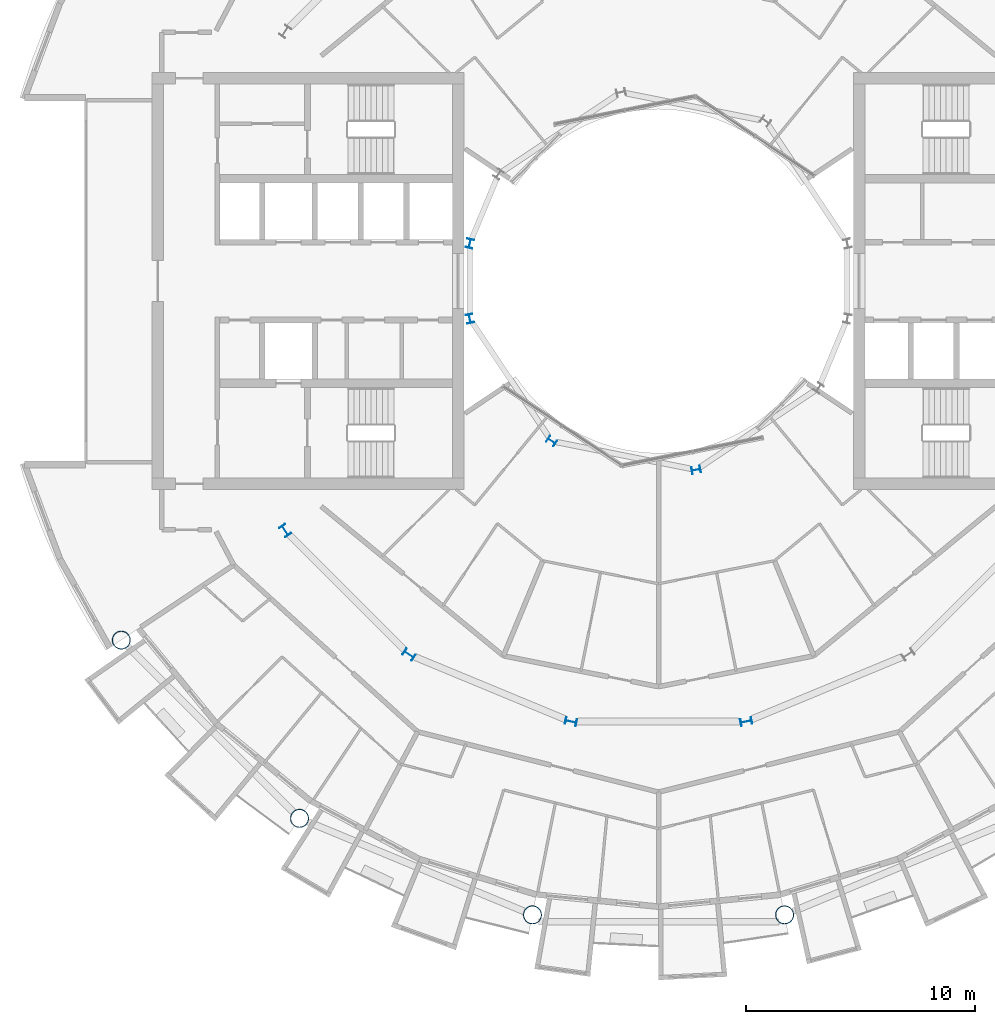
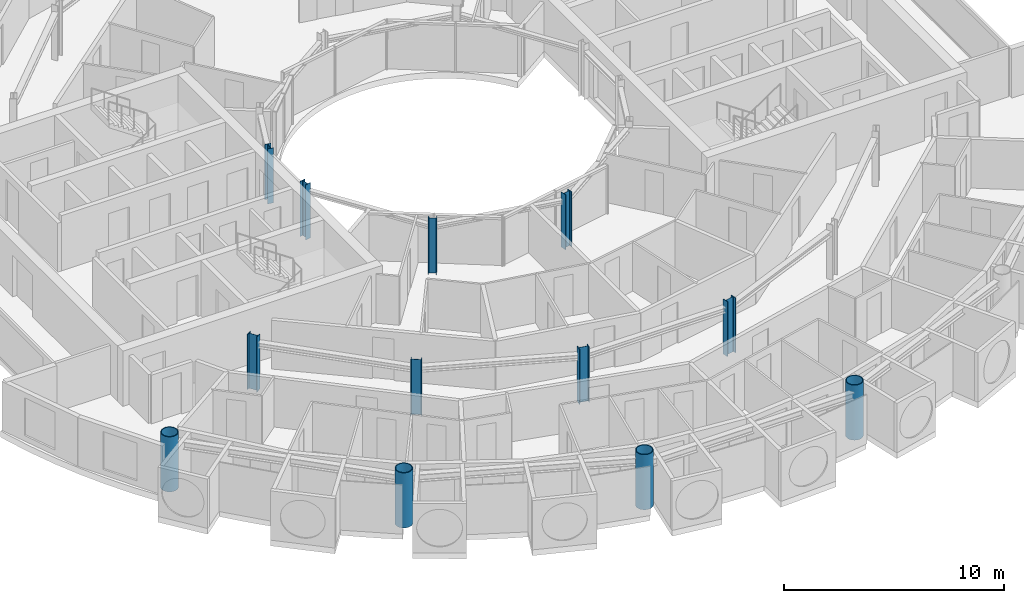
# One storey, part 1 of 26: 12 columns.
"""IFC4 building model written with IfcOpenShell, lengths in metres."""

from ifc_helpers import new_model, si_unit, direction, frame, origin, origin_2d, place, context, subcontext, project, spatial, hollow_circle, i_section, extrude, material, material_profile, profile_set, type_object, element, save


model = new_model("IFC4")

# Units and contexts
model_context = context("Model", 3, precision=1e-05, world=origin(), true_north=direction((0.0, 1.0)))
body_context = subcontext(model_context, "Body", "Model", "MODEL_VIEW")
ifc_project = project(units=[si_unit("LENGTHUNIT", "METRE"), si_unit("AREAUNIT", "SQUARE_METRE"), si_unit("VOLUMEUNIT", "CUBIC_METRE"), si_unit("PLANEANGLEUNIT", "RADIAN"), si_unit("MASSUNIT", "GRAM", prefix="KILO")], contexts=[model_context])

# Site, building, storey
site_placement = place(None, origin())
site = spatial("IfcSite", under=ifc_project, at=site_placement, CompositionType="ELEMENT")
building_placement = place(site_placement, origin())
building = spatial("IfcBuilding", under=site, at=building_placement, Name="Maasbend Ring Residences", CompositionType="ELEMENT")
storey_placement = place(building_placement, frame((0.0, 0.0, 161.60009765625)))
storey = spatial("IfcBuildingStorey", under=building, at=storey_placement, Name="L46", CompositionType="ELEMENT", Elevation=161.60009765625)

# Columns
ifc_material_1 = material(Name="Composite concrete-filled steel tube S460NH / C80/95", Category="concrete")
ifc_material_profile_1 = material_profile(ifc_material_1, hollow_circle(Radius=0.406494140625, WallThickness=0.0400390625, at=origin_2d()), Name="Composite tube column CHS 813x40")
ifc_profile_set_1 = profile_set([ifc_material_profile_1], Name="Composite concrete-filled steel tube S460NH / C80/95")
column_type_1 = type_object("IfcColumnType", Name="Composite tube column CHS 813x40", PredefinedType="COLUMN", material=ifc_profile_set_1)
for number, where, z_axis, x_axis, name in (
    (1, (-23.447509765625, -15.6669921875, 0.0), (0.0, 0.0, 1.0), (1.0, 0.0, 0.0), "Outer column R10"),
    (2, (-15.6669921875, -23.447509765625, 0.0), (0.0, 0.0, 1.0), (1.0, 0.0, 0.0), "Outer column R11"),
    (3, (-5.50146484375, -27.658203125, 0.0), (0.0, 0.0, 1.0), (1.0, 0.0, 0.0), "Outer column R12"),
    (4, (5.50146484375, -27.658203125, 0.0), (0.0, 0.0, 1.0), (1.0, 0.0, 0.0), "Outer column R13"),
):
    element("IfcColumn", number, at=place(storey_placement, frame(where, z_axis=z_axis, x_axis=x_axis)), inside=storey, type_object=column_type_1, Name=name, PredefinedType="COLUMN", context=body_context, shape_type="SweptSolid", body=[
        extrude(hollow_circle(Radius=0.406494140625, WallThickness=0.0400390625, at=origin_2d()), origin(), (0.0, 0.0, 1.0), 3.0498046875),
    ])
ifc_material_2 = material(Name="Steel S355J2", Category="steel")
ifc_material_profile_2 = material_profile(ifc_material_2, i_section(OverallWidth=0.300048828125, OverallDepth=0.389892578125, WebThickness=0.010986328125, FlangeThickness=0.01904296875, FilletRadius=0.027099609375, at=origin_2d()), Name="HEA 400")
ifc_profile_set_2 = profile_set([ifc_material_profile_2], Name="Steel S355J2")
column_type_2 = type_object("IfcColumnType", Name="Steel column HEA 400", PredefinedType="COLUMN", material=ifc_profile_set_2)
for number, where, z_axis, x_axis, name in (
    (5, (-8.238525390625, 1.638916015625, 0.0), (0.0, 0.0, 1.0), (-0.980785280403, 0.195090322016, 0.0), "Well ring column R8"),
    (6, (-8.238525390625, -1.638916015625, 0.0), (0.0, 0.0, 1.0), (-0.980785280403, -0.195090322016, 0.0), "Well ring column R9"),
    (7, (-4.666748046875, -6.984375, 0.0), (0.0, 0.0, 1.0), (-0.55557023302, -0.831469612303, 0.0), "Well ring column R11"),
    (8, (1.638916015625, -8.238525390625, 0.0), (0.0, 0.0, 1.0), (0.195090322016, -0.980785280403, 0.0), "Well ring column R13"),
):
    element("IfcColumn", number, at=place(storey_placement, frame(where, z_axis=z_axis, x_axis=x_axis)), inside=storey, type_object=column_type_2, Name=name, PredefinedType="COLUMN", context=body_context, shape_type="SweptSolid", body=[
        extrude(i_section(OverallWidth=0.300048828125, OverallDepth=0.389892578125, WebThickness=0.010986328125, FlangeThickness=0.01904296875, FilletRadius=0.027099609375, at=origin_2d()), origin(), (0.0, 0.0, 1.0), 3.0498046875),
    ])
ifc_material_3 = material(Name="Steel S355J2", Category="steel")
ifc_material_profile_3 = material_profile(ifc_material_3, i_section(OverallWidth=0.300048828125, OverallDepth=0.5, WebThickness=0.014404296875, FlangeThickness=0.028076171875, FilletRadius=0.027099609375, at=origin_2d()), Name="HEB 500")
ifc_profile_set_3 = profile_set([ifc_material_profile_3], Name="Steel S355J2")
column_type_3 = type_object("IfcColumnType", Name="Steel column HEB 500", PredefinedType="COLUMN", material=ifc_profile_set_3)
for number, where, z_axis, x_axis, name in (
    (9, (-16.296875, -10.88916015625, 0.0), (0.0, 0.0, 1.0), (-0.831469612303, -0.55557023302, 0.0), "Corridor ring column R10"),
    (10, (-10.88916015625, -16.296875, 0.0), (0.0, 0.0, 1.0), (-0.55557023302, -0.831469612303, 0.0), "Corridor ring column R11"),
    (11, (-3.82373046875, -19.223388671875, 0.0), (0.0, 0.0, 1.0), (-0.195090322016, -0.980785280403, 0.0), "Corridor ring column R12"),
    (12, (3.82373046875, -19.223388671875, 0.0), (0.0, 0.0, 1.0), (0.195090322016, -0.980785280403, 0.0), "Corridor ring column R13"),
):
    element("IfcColumn", number, at=place(storey_placement, frame(where, z_axis=z_axis, x_axis=x_axis)), inside=storey, type_object=column_type_3, Name=name, PredefinedType="COLUMN", context=body_context, shape_type="SweptSolid", body=[
        extrude(i_section(OverallWidth=0.300048828125, OverallDepth=0.5, WebThickness=0.014404296875, FlangeThickness=0.028076171875, FilletRadius=0.027099609375, at=origin_2d()), origin(), (0.0, 0.0, 1.0), 3.0498046875),
    ])

save(model, "model.ifc")
